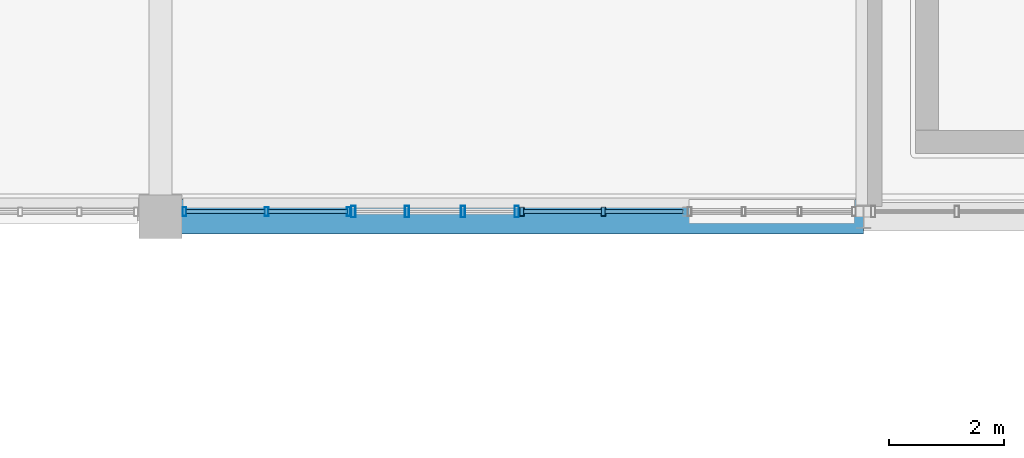
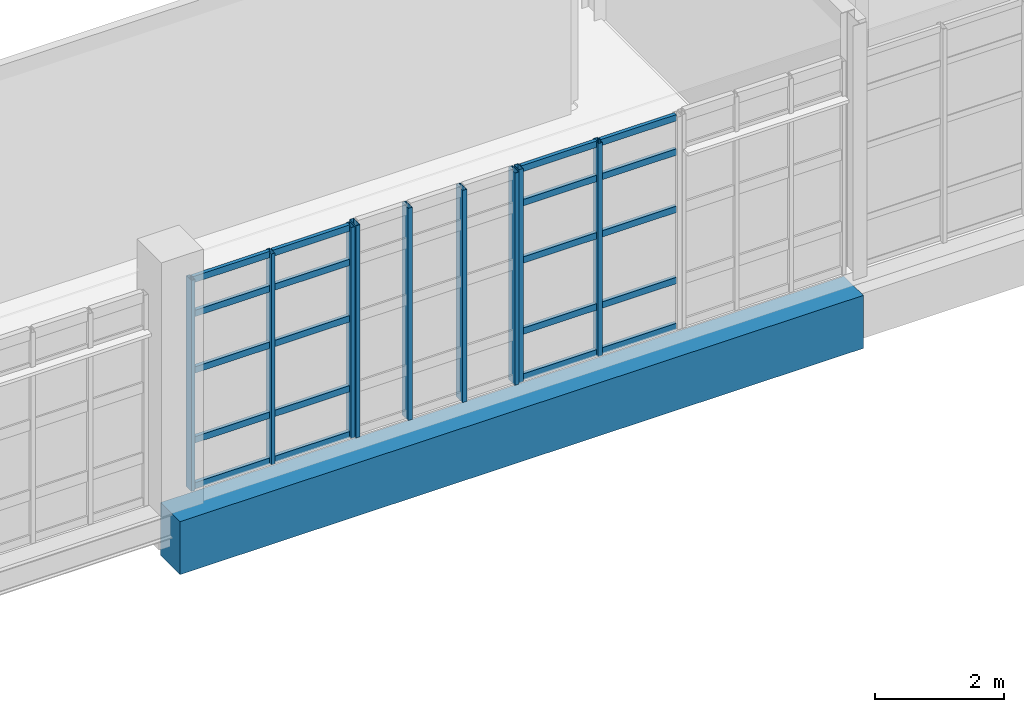
# One storey, part 43 of 102: 29 members, 1 beam, 3 elements without a shape of their own.
"""IFC4 building model written with IfcOpenShell, lengths in metres."""

from ifc_helpers import new_model, si_unit, derived_unit, direction, frame, origin, origin_2d, place, context, subcontext, project, spatial, rectangle, hollow_rectangle, extrude, material, layer, layer_set, material_profile, profile_set, type_object, element, aggregate, save


model = new_model("IFC4")

# Units and contexts
model_context = context("Model", 3, precision=1e-05, world=origin(), true_north=direction((0.0, 1.0)))
body_context = subcontext(model_context, "Body", "Model", "MODEL_VIEW")
ifc_project = project(units=[si_unit("LENGTHUNIT", "METRE"), si_unit("AREAUNIT", "SQUARE_METRE"), si_unit("VOLUMEUNIT", "CUBIC_METRE"), si_unit("PLANEANGLEUNIT", "RADIAN"), si_unit("MASSUNIT", "GRAM", prefix="KILO"), derived_unit("THERMALTRANSMITTANCEUNIT", [(si_unit("POWERUNIT", "WATT"), 1), (si_unit("LENGTHUNIT", "METRE"), -2), (si_unit("THERMODYNAMICTEMPERATUREUNIT", "KELVIN"), -1)])], contexts=[model_context])

# Site, building, storey
site_placement = place(None, origin())
site = spatial("IfcSite", under=ifc_project, at=site_placement, CompositionType="ELEMENT")
building_placement = place(site_placement, origin())
building = spatial("IfcBuilding", under=site, at=building_placement, Name="Nallur Shell Playhouse", CompositionType="ELEMENT")
storey_placement = place(building_placement, frame((0.0, 0.0, 15.0)))
storey = spatial("IfcBuildingStorey", under=building, at=storey_placement, Name="L04", CompositionType="ELEMENT", Elevation=15.0)

# Beam
ifc_material_1 = material(Name="Concrete M40", Category="concrete")
ifc_material_profile_1 = material_profile(ifc_material_1, rectangle(XDim=0.60009765625, YDim=1.0, at=origin_2d()), Name="RC 600x1000")
ifc_profile_set_1 = profile_set([ifc_material_profile_1], Name="Concrete M40")
beam_type = type_object("IfcBeamType", Name="BM-RC-600x1000", PredefinedType="BEAM", material=ifc_profile_set_1)
beam_placement = place(storey_placement, frame((135.39990234375, 24.0, -0.760009765625), z_axis=(1.0, 0.0, 0.0), x_axis=(0.0, 1.0, 0.0)))
element("IfcBeam", 1, at=beam_placement, inside=storey, type_object=beam_type, Name="L04 girder X-C-764", PredefinedType="BEAM", context=body_context, shape_type="SweptSolid", body=[
    extrude(rectangle(XDim=0.60009765625, YDim=1.0, at=origin_2d()), origin(), (0.0, 0.0, 1.0), 12.2001953125),
])

# Curtain wall, members
ifc_material_2 = material(Name="Anodised Aluminium Double-Glazed Facade System", Category="aluminium")
ifc_layer_1 = layer(ifc_material_2, 0.179931640625)
ifc_layer_set_1 = layer_set([ifc_layer_1], Name="Anodised Aluminium Double-Glazed Facade System")
curtain_wall_type_1 = type_object("IfcCurtainWallType", Name="CW-UNIT-29", PredefinedType="NOTDEFINED", material=ifc_layer_set_1)
curtain_wall_1_placement = place(storey_placement, origin())
curtain_wall_1 = element("IfcCurtainWall", 2, at=curtain_wall_1_placement, inside=storey, type_object=curtain_wall_type_1, Name="Unitised curtain wall CW-125 (L04)", PredefinedType="NOTDEFINED")
ifc_material_3 = material(Name="Aluminium Alloy 6063-T6 Mullion", Category="aluminium")
ifc_material_profile_2 = material_profile(ifc_material_3, hollow_rectangle(XDim=0.080078125, YDim=0.159912109375, WallThickness=0.006103515625, at=origin_2d()), Name="RHS 160x80x6")
ifc_profile_set_2 = profile_set([ifc_material_profile_2], Name="Aluminium Alloy 6063-T6 Mullion")
member_type_1 = type_object("IfcMemberType", Name="MB-CW-MUL150", PredefinedType="MULLION", material=ifc_profile_set_2)
member_1_placement = place(storey_placement, frame((143.08544921875, 24.090087890625, -0.014892578125), z_axis=(0.0, 0.0, 1.0), x_axis=(-1.0, 0.0, 0.0)))
member_1 = element("IfcMember", 3, at=member_1_placement, type_object=member_type_1, Name="CW-29 mullion 2", PredefinedType="MULLION", context=body_context, shape_type="SweptSolid", body=[
    extrude(hollow_rectangle(XDim=0.080078125, YDim=0.159912109375, WallThickness=0.006103515625, at=origin_2d()), origin(), (0.0, 0.0, 1.0), 4.02392578125),
])
member_2_placement = place(storey_placement, frame((141.669921875, 24.090087890625, -0.014892578125), z_axis=(0.0, 0.0, 1.0), x_axis=(-1.0, 0.0, 0.0)))
member_2 = element("IfcMember", 4, at=member_2_placement, type_object=member_type_1, Name="CW-29 mullion 3", PredefinedType="MULLION", context=body_context, shape_type="SweptSolid", body=[
    extrude(hollow_rectangle(XDim=0.080078125, YDim=0.159912109375, WallThickness=0.006103515625, at=origin_2d()), origin(), (0.0, 0.0, 1.0), 4.02392578125),
])

ifc_layer_2 = layer(ifc_material_2, 0.1640625)
ifc_layer_set_2 = layer_set([ifc_layer_2], Name="Anodised Aluminium Double-Glazed Facade System")
curtain_wall_type_2 = type_object("IfcCurtainWallType", Name="CW-UNIT-31", PredefinedType="NOTDEFINED", material=ifc_layer_set_2)
curtain_wall_2_placement = place(storey_placement, origin())
curtain_wall_2 = element("IfcCurtainWall", 5, at=curtain_wall_2_placement, inside=storey, type_object=curtain_wall_type_2, Name="Unitised curtain wall CW-127 (L04)", PredefinedType="NOTDEFINED")
ifc_material_profile_3 = material_profile(ifc_material_3, hollow_rectangle(XDim=0.06494140625, YDim=0.159912109375, WallThickness=0.00390625, at=origin_2d()), Name="ALU 65x160x4")
ifc_profile_set_3 = profile_set([ifc_material_profile_3], Name="Aluminium Alloy 6063-T6 Mullion")
member_type_2 = type_object("IfcMemberType", Name="MB-CW-MUL160", PredefinedType="MULLION", material=ifc_profile_set_3)
member_3_placement = place(storey_placement, frame((138.66650390625, 24.090087890625, -0.014892578125), z_axis=(0.0, 0.0, 1.0), x_axis=(-1.0, 0.0, 0.0)))
member_3 = element("IfcMember", 6, at=member_3_placement, type_object=member_type_2, Name="CW-31 mullion 1", PredefinedType="MULLION", context=body_context, shape_type="SweptSolid", body=[
    extrude(hollow_rectangle(XDim=0.06494140625, YDim=0.159912109375, WallThickness=0.00390625, at=origin_2d()), origin(), (0.0, 0.0, 1.0), 3.98388671875),
])
member_4_placement = place(storey_placement, frame((137.240966796875, 24.090087890625, -0.014892578125), z_axis=(0.0, 0.0, 1.0), x_axis=(-1.0, 0.0, 0.0)))
member_4 = element("IfcMember", 7, at=member_4_placement, type_object=member_type_2, Name="CW-31 mullion 2", PredefinedType="MULLION", context=body_context, shape_type="SweptSolid", body=[
    extrude(hollow_rectangle(XDim=0.06494140625, YDim=0.159912109375, WallThickness=0.00390625, at=origin_2d()), origin(), (0.0, 0.0, 1.0), 3.98388671875),
])
member_5_placement = place(storey_placement, frame((135.8154296875, 24.090087890625, -0.014892578125), z_axis=(0.0, 0.0, 1.0), x_axis=(-1.0, 0.0, 0.0)))
member_5 = element("IfcMember", 8, at=member_5_placement, type_object=member_type_2, Name="CW-31 mullion 3", PredefinedType="MULLION", context=body_context, shape_type="SweptSolid", body=[
    extrude(hollow_rectangle(XDim=0.06494140625, YDim=0.159912109375, WallThickness=0.00390625, at=origin_2d()), origin(), (0.0, 0.0, 1.0), 3.98388671875),
])

ifc_layer_3 = layer(ifc_material_2, 0.159912109375)
ifc_layer_set_3 = layer_set([ifc_layer_3], Name="Anodised Aluminium Double-Glazed Facade System")
curtain_wall_type_3 = type_object("IfcCurtainWallType", Name="CW-UNIT-30", PredefinedType="NOTDEFINED", material=ifc_layer_set_3)
curtain_wall_3_placement = place(storey_placement, origin())
curtain_wall_3 = element("IfcCurtainWall", 9, at=curtain_wall_3_placement, inside=storey, type_object=curtain_wall_type_3, Name="Unitised curtain wall CW-126 (L04)", PredefinedType="NOTDEFINED")
ifc_material_profile_4 = material_profile(ifc_material_3, hollow_rectangle(XDim=0.074951171875, YDim=0.199951171875, WallThickness=0.0048828125, at=origin_2d()), Name="ALU 75x200x5")
ifc_profile_set_4 = profile_set([ifc_material_profile_4], Name="Aluminium Alloy 6063-T6 Mullion")
member_type_3 = type_object("IfcMemberType", Name="MB-CW-MUL180", PredefinedType="MULLION", material=ifc_profile_set_4)
member_6_placement = place(storey_placement, frame((141.58251953125, 24.090087890625, -0.014892578125), z_axis=(0.0, 0.0, 1.0), x_axis=(-1.0, 0.0, 0.0)))
member_6 = element("IfcMember", 10, at=member_6_placement, type_object=member_type_3, Name="CW-30 mullion 1", PredefinedType="MULLION", context=body_context, shape_type="SweptSolid", body=[
    extrude(hollow_rectangle(XDim=0.074951171875, YDim=0.199951171875, WallThickness=0.0048828125, at=origin_2d()), origin(), (0.0, 0.0, 1.0), 4.00390625),
])
member_7_placement = place(storey_placement, frame((140.649658203125, 24.090087890625, -0.014892578125), z_axis=(0.0, 0.0, 1.0), x_axis=(-1.0, 0.0, 0.0)))
member_7 = element("IfcMember", 11, at=member_7_placement, type_object=member_type_3, Name="CW-30 mullion 2", PredefinedType="MULLION", context=body_context, shape_type="SweptSolid", body=[
    extrude(hollow_rectangle(XDim=0.074951171875, YDim=0.199951171875, WallThickness=0.0048828125, at=origin_2d()), origin(), (0.0, 0.0, 1.0), 4.00390625),
])
member_8_placement = place(storey_placement, frame((139.679443359375, 24.090087890625, -0.014892578125), z_axis=(0.0, 0.0, 1.0), x_axis=(-1.0, 0.0, 0.0)))
member_8 = element("IfcMember", 12, at=member_8_placement, type_object=member_type_3, Name="CW-30 mullion 3", PredefinedType="MULLION", context=body_context, shape_type="SweptSolid", body=[
    extrude(hollow_rectangle(XDim=0.074951171875, YDim=0.199951171875, WallThickness=0.0048828125, at=origin_2d()), origin(), (0.0, 0.0, 1.0), 4.00390625),
])
member_9_placement = place(storey_placement, frame((138.74658203125, 24.090087890625, -0.014892578125), z_axis=(0.0, 0.0, 1.0), x_axis=(-1.0, 0.0, 0.0)))
member_9 = element("IfcMember", 13, at=member_9_placement, type_object=member_type_3, Name="CW-30 mullion 4", PredefinedType="MULLION", context=body_context, shape_type="SweptSolid", body=[
    extrude(hollow_rectangle(XDim=0.074951171875, YDim=0.199951171875, WallThickness=0.0048828125, at=origin_2d()), origin(), (0.0, 0.0, 1.0), 4.00390625),
])
aggregate(curtain_wall_3, [member_6, member_7, member_8, member_9])

# Member
ifc_material_4 = material(Name="Aluminium Alloy 6063-T6 Transom", Category="aluminium")
ifc_material_profile_5 = material_profile(ifc_material_4, hollow_rectangle(XDim=0.06494140625, YDim=0.1201171875, WallThickness=0.00390625, at=origin_2d()), Name="ALU 65x120x4")
ifc_profile_set_5 = profile_set([ifc_material_profile_5], Name="Aluminium Alloy 6063-T6 Transom")
member_type_4 = type_object("IfcMemberType", Name="MB-CW-TRN120", PredefinedType="USERDEFINED", material=ifc_profile_set_5)
member_10_placement = place(storey_placement, frame((144.468994140625, 24.090087890625, 0.032470703125), z_axis=(-1.0, 0.0, 0.0), x_axis=(0.0, -1.0, 0.0)))
member_10 = element("IfcMember", 14, at=member_10_placement, type_object=member_type_4, Name="CW-29 transom 1.1", ObjectType="TRANSOM", PredefinedType="USERDEFINED", context=body_context, shape_type="SweptSolid", body=[
    extrude(hollow_rectangle(XDim=0.06494140625, YDim=0.1201171875, WallThickness=0.00390625, at=origin_2d()), origin(), (0.0, 0.0, 1.0), 1.3515625),
])

member_11_placement = place(storey_placement, frame((144.468994140625, 24.090087890625, 0.89990234375), z_axis=(-1.0, 0.0, 0.0), x_axis=(0.0, -1.0, 0.0)))
member_11 = element("IfcMember", 15, at=member_11_placement, type_object=member_type_4, Name="CW-29 transom 1.2", ObjectType="TRANSOM", PredefinedType="USERDEFINED", context=body_context, shape_type="SweptSolid", body=[
    extrude(hollow_rectangle(XDim=0.06494140625, YDim=0.1201171875, WallThickness=0.00390625, at=origin_2d()), origin(), (0.0, 0.0, 1.0), 1.3515625),
])

member_12_placement = place(storey_placement, frame((144.468994140625, 24.090087890625, 2.242919921875), z_axis=(-1.0, 0.0, 0.0), x_axis=(0.0, -1.0, 0.0)))
member_12 = element("IfcMember", 16, at=member_12_placement, type_object=member_type_4, Name="CW-29 transom 1.3", ObjectType="TRANSOM", PredefinedType="USERDEFINED", context=body_context, shape_type="SweptSolid", body=[
    extrude(hollow_rectangle(XDim=0.06494140625, YDim=0.1201171875, WallThickness=0.00390625, at=origin_2d()), origin(), (0.0, 0.0, 1.0), 1.3515625),
])

member_13_placement = place(storey_placement, frame((144.468994140625, 24.090087890625, 3.324951171875), z_axis=(-1.0, 0.0, 0.0), x_axis=(0.0, -1.0, 0.0)))
member_13 = element("IfcMember", 17, at=member_13_placement, type_object=member_type_4, Name="CW-29 transom 1.4", ObjectType="TRANSOM", PredefinedType="USERDEFINED", context=body_context, shape_type="SweptSolid", body=[
    extrude(hollow_rectangle(XDim=0.06494140625, YDim=0.1201171875, WallThickness=0.00390625, at=origin_2d()), origin(), (0.0, 0.0, 1.0), 1.3515625),
])

member_14_placement = place(storey_placement, frame((144.468994140625, 24.090087890625, 3.972412109375), z_axis=(-1.0, 0.0, 0.0), x_axis=(0.0, -1.0, 0.0)))
member_14 = element("IfcMember", 18, at=member_14_placement, type_object=member_type_4, Name="CW-29 transom 1.5", ObjectType="TRANSOM", PredefinedType="USERDEFINED", context=body_context, shape_type="SweptSolid", body=[
    extrude(hollow_rectangle(XDim=0.06494140625, YDim=0.1201171875, WallThickness=0.00390625, at=origin_2d()), origin(), (0.0, 0.0, 1.0), 1.3515625),
])

member_15_placement = place(storey_placement, frame((143.053466796875, 24.090087890625, 0.032470703125), z_axis=(-1.0, 0.0, 0.0), x_axis=(0.0, -1.0, 0.0)))
member_15 = element("IfcMember", 19, at=member_15_placement, type_object=member_type_4, Name="CW-29 transom 2.1", ObjectType="TRANSOM", PredefinedType="USERDEFINED", context=body_context, shape_type="SweptSolid", body=[
    extrude(hollow_rectangle(XDim=0.06494140625, YDim=0.1201171875, WallThickness=0.00390625, at=origin_2d()), origin(), (0.0, 0.0, 1.0), 1.3515625),
])

member_16_placement = place(storey_placement, frame((143.053466796875, 24.090087890625, 0.89990234375), z_axis=(-1.0, 0.0, 0.0), x_axis=(0.0, -1.0, 0.0)))
member_16 = element("IfcMember", 20, at=member_16_placement, type_object=member_type_4, Name="CW-29 transom 2.2", ObjectType="TRANSOM", PredefinedType="USERDEFINED", context=body_context, shape_type="SweptSolid", body=[
    extrude(hollow_rectangle(XDim=0.06494140625, YDim=0.1201171875, WallThickness=0.00390625, at=origin_2d()), origin(), (0.0, 0.0, 1.0), 1.3515625),
])

member_17_placement = place(storey_placement, frame((143.053466796875, 24.090087890625, 2.242919921875), z_axis=(-1.0, 0.0, 0.0), x_axis=(0.0, -1.0, 0.0)))
member_17 = element("IfcMember", 21, at=member_17_placement, type_object=member_type_4, Name="CW-29 transom 2.3", ObjectType="TRANSOM", PredefinedType="USERDEFINED", context=body_context, shape_type="SweptSolid", body=[
    extrude(hollow_rectangle(XDim=0.06494140625, YDim=0.1201171875, WallThickness=0.00390625, at=origin_2d()), origin(), (0.0, 0.0, 1.0), 1.3515625),
])

member_18_placement = place(storey_placement, frame((143.053466796875, 24.090087890625, 3.324951171875), z_axis=(-1.0, 0.0, 0.0), x_axis=(0.0, -1.0, 0.0)))
member_18 = element("IfcMember", 22, at=member_18_placement, type_object=member_type_4, Name="CW-29 transom 2.4", ObjectType="TRANSOM", PredefinedType="USERDEFINED", context=body_context, shape_type="SweptSolid", body=[
    extrude(hollow_rectangle(XDim=0.06494140625, YDim=0.1201171875, WallThickness=0.00390625, at=origin_2d()), origin(), (0.0, 0.0, 1.0), 1.3515625),
])

member_19_placement = place(storey_placement, frame((143.053466796875, 24.090087890625, 3.972412109375), z_axis=(-1.0, 0.0, 0.0), x_axis=(0.0, -1.0, 0.0)))
member_19 = element("IfcMember", 23, at=member_19_placement, type_object=member_type_4, Name="CW-29 transom 2.5", ObjectType="TRANSOM", PredefinedType="USERDEFINED", context=body_context, shape_type="SweptSolid", body=[
    extrude(hollow_rectangle(XDim=0.06494140625, YDim=0.1201171875, WallThickness=0.00390625, at=origin_2d()), origin(), (0.0, 0.0, 1.0), 1.3515625),
])

aggregate(curtain_wall_1, [member_1, member_2, member_10, member_11, member_12, member_13, member_14, member_15, member_16, member_17, member_18, member_19])

member_20_placement = place(storey_placement, frame((138.64208984375, 24.090087890625, 0.032470703125), z_axis=(-1.0, 0.0, 0.0), x_axis=(0.0, -1.0, 0.0)))
member_20 = element("IfcMember", 24, at=member_20_placement, type_object=member_type_4, Name="CW-31 transom 1.1", ObjectType="TRANSOM", PredefinedType="USERDEFINED", context=body_context, shape_type="SweptSolid", body=[
    extrude(hollow_rectangle(XDim=0.06494140625, YDim=0.1201171875, WallThickness=0.00390625, at=origin_2d()), origin(), (0.0, 0.0, 1.0), 1.376708984375),
])

member_21_placement = place(storey_placement, frame((138.64208984375, 24.090087890625, 0.89990234375), z_axis=(-1.0, 0.0, 0.0), x_axis=(0.0, -1.0, 0.0)))
member_21 = element("IfcMember", 25, at=member_21_placement, type_object=member_type_4, Name="CW-31 transom 1.2", ObjectType="TRANSOM", PredefinedType="USERDEFINED", context=body_context, shape_type="SweptSolid", body=[
    extrude(hollow_rectangle(XDim=0.06494140625, YDim=0.1201171875, WallThickness=0.00390625, at=origin_2d()), origin(), (0.0, 0.0, 1.0), 1.376708984375),
])

member_22_placement = place(storey_placement, frame((138.64208984375, 24.090087890625, 2.219970703125), z_axis=(-1.0, 0.0, 0.0), x_axis=(0.0, -1.0, 0.0)))
member_22 = element("IfcMember", 26, at=member_22_placement, type_object=member_type_4, Name="CW-31 transom 1.3", ObjectType="TRANSOM", PredefinedType="USERDEFINED", context=body_context, shape_type="SweptSolid", body=[
    extrude(hollow_rectangle(XDim=0.06494140625, YDim=0.1201171875, WallThickness=0.00390625, at=origin_2d()), origin(), (0.0, 0.0, 1.0), 1.376708984375),
])

member_23_placement = place(storey_placement, frame((138.64208984375, 24.090087890625, 3.284912109375), z_axis=(-1.0, 0.0, 0.0), x_axis=(0.0, -1.0, 0.0)))
member_23 = element("IfcMember", 27, at=member_23_placement, type_object=member_type_4, Name="CW-31 transom 1.4", ObjectType="TRANSOM", PredefinedType="USERDEFINED", context=body_context, shape_type="SweptSolid", body=[
    extrude(hollow_rectangle(XDim=0.06494140625, YDim=0.1201171875, WallThickness=0.00390625, at=origin_2d()), origin(), (0.0, 0.0, 1.0), 1.376708984375),
])

member_24_placement = place(storey_placement, frame((138.64208984375, 24.090087890625, 3.9326171875), z_axis=(-1.0, 0.0, 0.0), x_axis=(0.0, -1.0, 0.0)))
member_24 = element("IfcMember", 28, at=member_24_placement, type_object=member_type_4, Name="CW-31 transom 1.5", ObjectType="TRANSOM", PredefinedType="USERDEFINED", context=body_context, shape_type="SweptSolid", body=[
    extrude(hollow_rectangle(XDim=0.06494140625, YDim=0.1201171875, WallThickness=0.00390625, at=origin_2d()), origin(), (0.0, 0.0, 1.0), 1.376708984375),
])

member_25_placement = place(storey_placement, frame((137.216552734375, 24.090087890625, 0.032470703125), z_axis=(-1.0, 0.0, 0.0), x_axis=(0.0, -1.0, 0.0)))
member_25 = element("IfcMember", 29, at=member_25_placement, type_object=member_type_4, Name="CW-31 transom 2.1", ObjectType="TRANSOM", PredefinedType="USERDEFINED", context=body_context, shape_type="SweptSolid", body=[
    extrude(hollow_rectangle(XDim=0.06494140625, YDim=0.1201171875, WallThickness=0.00390625, at=origin_2d()), origin(), (0.0, 0.0, 1.0), 1.37646484375),
])

member_26_placement = place(storey_placement, frame((137.216552734375, 24.090087890625, 0.89990234375), z_axis=(-1.0, 0.0, 0.0), x_axis=(0.0, -1.0, 0.0)))
member_26 = element("IfcMember", 30, at=member_26_placement, type_object=member_type_4, Name="CW-31 transom 2.2", ObjectType="TRANSOM", PredefinedType="USERDEFINED", context=body_context, shape_type="SweptSolid", body=[
    extrude(hollow_rectangle(XDim=0.06494140625, YDim=0.1201171875, WallThickness=0.00390625, at=origin_2d()), origin(), (0.0, 0.0, 1.0), 1.37646484375),
])

member_27_placement = place(storey_placement, frame((137.216552734375, 24.090087890625, 2.219970703125), z_axis=(-1.0, 0.0, 0.0), x_axis=(0.0, -1.0, 0.0)))
member_27 = element("IfcMember", 31, at=member_27_placement, type_object=member_type_4, Name="CW-31 transom 2.3", ObjectType="TRANSOM", PredefinedType="USERDEFINED", context=body_context, shape_type="SweptSolid", body=[
    extrude(hollow_rectangle(XDim=0.06494140625, YDim=0.1201171875, WallThickness=0.00390625, at=origin_2d()), origin(), (0.0, 0.0, 1.0), 1.37646484375),
])

member_28_placement = place(storey_placement, frame((137.216552734375, 24.090087890625, 3.284912109375), z_axis=(-1.0, 0.0, 0.0), x_axis=(0.0, -1.0, 0.0)))
member_28 = element("IfcMember", 32, at=member_28_placement, type_object=member_type_4, Name="CW-31 transom 2.4", ObjectType="TRANSOM", PredefinedType="USERDEFINED", context=body_context, shape_type="SweptSolid", body=[
    extrude(hollow_rectangle(XDim=0.06494140625, YDim=0.1201171875, WallThickness=0.00390625, at=origin_2d()), origin(), (0.0, 0.0, 1.0), 1.37646484375),
])

member_29_placement = place(storey_placement, frame((137.216552734375, 24.090087890625, 3.9326171875), z_axis=(-1.0, 0.0, 0.0), x_axis=(0.0, -1.0, 0.0)))
member_29 = element("IfcMember", 33, at=member_29_placement, type_object=member_type_4, Name="CW-31 transom 2.5", ObjectType="TRANSOM", PredefinedType="USERDEFINED", context=body_context, shape_type="SweptSolid", body=[
    extrude(hollow_rectangle(XDim=0.06494140625, YDim=0.1201171875, WallThickness=0.00390625, at=origin_2d()), origin(), (0.0, 0.0, 1.0), 1.37646484375),
])

aggregate(curtain_wall_2, [member_3, member_4, member_5, member_20, member_21, member_22, member_23, member_24, member_25, member_26, member_27, member_28, member_29])

save(model, "model.ifc")
